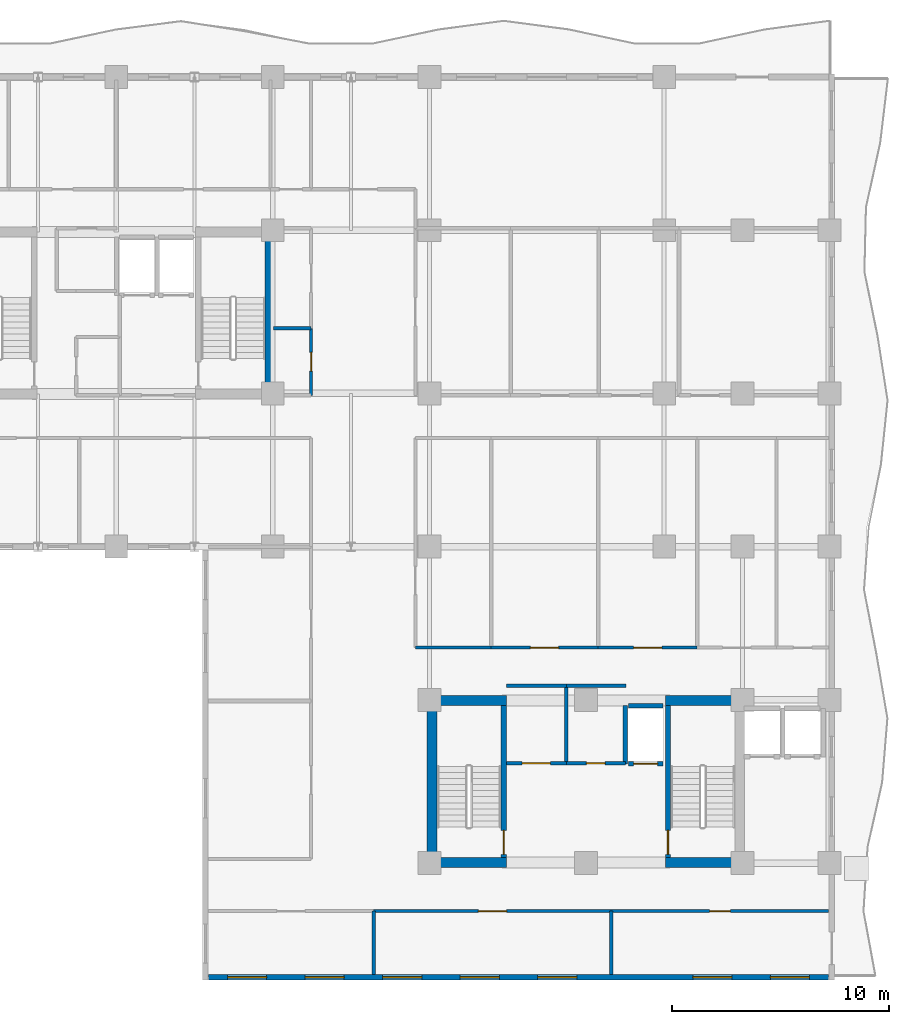
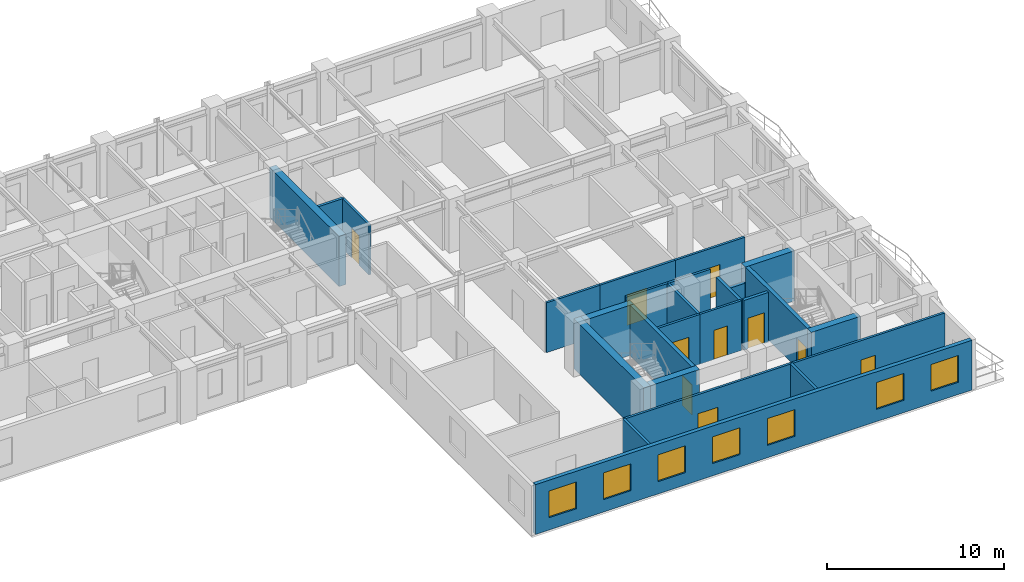
# One storey, part 12 of 19: 26 walls, 10 doors, 7 windows, 17 openings.
"""IFC4 building model written with IfcOpenShell, lengths in metres."""

from ifc_helpers import new_model, si_unit, direction, frame, frame_2d, origin, place, context, subcontext, project, spatial, rectangle, extrude, material, layer, layer_set, type_object, element, fill, save


model = new_model("IFC4")

# Units and contexts
model_context = context("Model", 3, precision=1e-05, world=origin(), true_north=direction((0.0, 1.0)))
body_context = subcontext(model_context, "Body", "Model", "MODEL_VIEW")
ifc_project = project(units=[si_unit("LENGTHUNIT", "METRE"), si_unit("AREAUNIT", "SQUARE_METRE"), si_unit("VOLUMEUNIT", "CUBIC_METRE"), si_unit("PLANEANGLEUNIT", "RADIAN"), si_unit("MASSUNIT", "GRAM", prefix="KILO")], contexts=[model_context])

# Site, building, storey
site_placement = place(None, origin())
site = spatial("IfcSite", under=ifc_project, at=site_placement, CompositionType="ELEMENT")
building_placement = place(site_placement, origin())
building = spatial("IfcBuilding", under=site, at=building_placement, Name="Kaliganga Portal Commons", CompositionType="ELEMENT")
storey_placement = place(building_placement, frame((0.0, 0.0, 184.60009765625)))
storey = spatial("IfcBuildingStorey", under=building, at=storey_placement, Name="L47", CompositionType="ELEMENT", Elevation=184.60009765625)

# Walls
ifc_material_1 = material(Name="Concrete C60/75", Category="concrete")
ifc_layer_1 = layer(ifc_material_1, 0.449951171875)
ifc_layer_set_1 = layer_set([ifc_layer_1], Name="Concrete C60/75")
wall_type_1 = type_object("IfcWallType", Name="WL-CORE-450", PredefinedType="SHEAR", material=ifc_layer_set_1)
wall_1_placement = place(storey_placement, frame((28.675048828125, 28.39990234375, 0.0), z_axis=(0.0, 0.0, 1.0), x_axis=(0.0, 1.0, 0.0)))
element("IfcWall", 1, at=wall_1_placement, inside=storey, type_object=wall_type_1, Name="Core A East Shear Wall L47", PredefinedType="SHEAR", context=body_context, shape_type="SweptSolid", body=[
    extrude(rectangle(XDim=7.900146484375, YDim=0.449951171875, at=frame_2d((3.9501953125, 0.0))), origin(), (0.0, 0.0, 1.0), 3.4599609375),
])
wall_2_placement = place(storey_placement, frame((36.125, 6.85009765625, 0.0), z_axis=(0.0, 0.0, 1.0), x_axis=(0.0, 1.0, 0.0)))
element("IfcWall", 2, at=wall_2_placement, inside=storey, type_object=wall_type_1, Name="Core B West Shear Wall L47", PredefinedType="SHEAR", context=body_context, shape_type="SweptSolid", body=[
    extrude(rectangle(XDim=7.89990234375, YDim=0.449951171875, at=frame_2d((3.949951171875, 0.0))), origin(), (0.0, 0.0, 1.0), 3.4599609375),
])
for number, where, z_axis, x_axis, name in (
    (3, (36.35009765625, 7.074951171875, 0.0), (0.0, 0.0, 1.0), (1.0, 0.0, 0.0), "Core B S-West Shear Wall L47"),
    (4, (46.85009765625, 7.074951171875, 0.0), (0.0, 0.0, 1.0), (1.0, 0.0, 0.0), "Core B S-East Shear Wall L47"),
    (5, (36.35009765625, 14.52490234375, 0.0), (0.0, 0.0, 1.0), (1.0, 0.0, 0.0), "Core B N-West Shear Wall L47"),
    (6, (46.85009765625, 14.52490234375, 0.0), (0.0, 0.0, 1.0), (1.0, 0.0, 0.0), "Core B N-East Shear Wall L47"),
):
    element("IfcWall", number, at=place(storey_placement, frame(where, z_axis=z_axis, x_axis=x_axis)), inside=storey, type_object=wall_type_1, Name=name, PredefinedType="SHEAR", context=body_context, shape_type="SweptSolid", body=[
        extrude(rectangle(XDim=3.199951171875, YDim=0.449951171875, at=frame_2d((1.60009765625, 0.0))), origin(), (0.0, 0.0, 1.0), 3.4599609375),
    ])

# Wall, openings, windows
ifc_material_2 = material(Name="Insulated Aluminium-Clad Spandrel Assembly", Category="aluminium")
ifc_layer_2 = layer(ifc_material_2, 0.260009765625)
ifc_layer_set_2 = layer_set([ifc_layer_2], Name="Insulated Aluminium-Clad Spandrel Assembly")
wall_type_2 = type_object("IfcWallType", Name="WL-EXT-SPAND-260", PredefinedType="STANDARD", material=ifc_layer_set_2)
wall_3_placement = place(storey_placement, frame((54.364990234375, 1.800048828125, 0.0), z_axis=(0.0, 0.0, 1.0), x_axis=(-1.0, 0.0, 0.0)))
wall_3 = element("IfcWall", 7, at=wall_3_placement, inside=storey, type_object=wall_type_2, Name="Exterior Envelope Wall L47 P1-E00-S1", PredefinedType="STANDARD", context=body_context, shape_type="SweptSolid", body=[
    extrude(rectangle(XDim=28.530029296875, YDim=0.260009765625, at=frame_2d((14.26513671875, 0.0))), origin(), (0.0, 0.0, 1.0), 3.43994140625),
])
opening_1_placement = place(wall_3_placement, frame((0.883056640625, 0.0, 0.85009765625)))
opening_1 = element("IfcOpeningElement", 8, at=opening_1_placement, cuts=wall_3, Name="Opening W-01", PredefinedType="OPENING", context=body_context, shape_type="SweptSolid", body=[
    extrude(rectangle(XDim=1.800048828125, YDim=1.85009765625, at=frame_2d((0.89990234375, 0.925048828125))), frame((0.0, 0.14013671875, 0.0), z_axis=(0.0, -1.0, 0.0), x_axis=(1.0, 0.0, 0.0)), (0.0, 0.0, 1.0), 0.280029296875),
])
opening_2_placement = place(wall_3_placement, frame((4.449462890625, 0.0, 0.85009765625)))
opening_2 = element("IfcOpeningElement", 9, at=opening_2_placement, cuts=wall_3, Name="Opening W-01", PredefinedType="OPENING", context=body_context, shape_type="SweptSolid", body=[
    extrude(rectangle(XDim=1.800048828125, YDim=1.85009765625, at=frame_2d((0.89990234375, 0.925048828125))), frame((0.0, 0.14013671875, 0.0), z_axis=(0.0, -1.0, 0.0), x_axis=(1.0, 0.0, 0.0)), (0.0, 0.0, 1.0), 0.280029296875),
])
opening_3_placement = place(wall_3_placement, frame((11.581787109375, 0.0, 0.85009765625)))
opening_3 = element("IfcOpeningElement", 10, at=opening_3_placement, cuts=wall_3, Name="Opening W-01", PredefinedType="OPENING", context=body_context, shape_type="SweptSolid", body=[
    extrude(rectangle(XDim=1.800048828125, YDim=1.85009765625, at=frame_2d((0.89990234375, 0.925048828125))), frame((0.0, 0.14013671875, 0.0), z_axis=(0.0, -1.0, 0.0), x_axis=(1.0, 0.0, 0.0)), (0.0, 0.0, 1.0), 0.280029296875),
])
opening_4_placement = place(wall_3_placement, frame((15.148193359375, 0.0, 0.85009765625)))
opening_4 = element("IfcOpeningElement", 11, at=opening_4_placement, cuts=wall_3, Name="Opening W-01", PredefinedType="OPENING", context=body_context, shape_type="SweptSolid", body=[
    extrude(rectangle(XDim=1.800048828125, YDim=1.85009765625, at=frame_2d((0.89990234375, 0.925048828125))), frame((0.0, 0.14013671875, 0.0), z_axis=(0.0, -1.0, 0.0), x_axis=(1.0, 0.0, 0.0)), (0.0, 0.0, 1.0), 0.280029296875),
])
opening_5_placement = place(wall_3_placement, frame((18.71435546875, 0.0, 0.85009765625)))
opening_5 = element("IfcOpeningElement", 12, at=opening_5_placement, cuts=wall_3, Name="Opening W-01", PredefinedType="OPENING", context=body_context, shape_type="SweptSolid", body=[
    extrude(rectangle(XDim=1.800048828125, YDim=1.85009765625, at=frame_2d((0.89990234375, 0.925048828125))), frame((0.0, 0.14013671875, 0.0), z_axis=(0.0, -1.0, 0.0), x_axis=(1.0, 0.0, 0.0)), (0.0, 0.0, 1.0), 0.280029296875),
])
opening_6_placement = place(wall_3_placement, frame((22.280517578125, 0.0, 0.85009765625)))
opening_6 = element("IfcOpeningElement", 13, at=opening_6_placement, cuts=wall_3, Name="Opening W-01", PredefinedType="OPENING", context=body_context, shape_type="SweptSolid", body=[
    extrude(rectangle(XDim=1.800048828125, YDim=1.85009765625, at=frame_2d((0.89990234375, 0.925048828125))), frame((0.0, 0.14013671875, 0.0), z_axis=(0.0, -1.0, 0.0), x_axis=(1.0, 0.0, 0.0)), (0.0, 0.0, 1.0), 0.280029296875),
])
opening_7_placement = place(wall_3_placement, frame((25.846923828125, 0.0, 0.85009765625)))
opening_7 = element("IfcOpeningElement", 14, at=opening_7_placement, cuts=wall_3, Name="Opening W-01", PredefinedType="OPENING", context=body_context, shape_type="SweptSolid", body=[
    extrude(rectangle(XDim=1.800048828125, YDim=1.85009765625, at=frame_2d((0.89990234375, 0.925048828125))), frame((0.0, 0.14013671875, 0.0), z_axis=(0.0, -1.0, 0.0), x_axis=(1.0, 0.0, 0.0)), (0.0, 0.0, 1.0), 0.280029296875),
])
ifc_material_3 = material(Name="Thermally Broken Aluminium and Low-E Double Glazing", Category="aluminium")
window_type = type_object("IfcWindowType", Name="WIN-STD-1800", PartitioningType="DOUBLE_PANEL_VERTICAL", PredefinedType="WINDOW", material=ifc_material_3)
window_1_placement = place(opening_1_placement, origin())
window_1 = element("IfcWindow", 15, at=window_1_placement, inside=storey, type_object=window_type, Name="Facade Window L47-P1E00S1-00", OverallHeight=1.85009765625, OverallWidth=1.800048828125, PartitioningType="SINGLE_PANEL", PredefinedType="WINDOW", context=body_context, shape_type="SweptSolid", body=[
    extrude(rectangle(XDim=1.800048828125, YDim=1.85009765625, at=frame_2d((0.89990234375, 0.925048828125))), frame((0.0, 0.030029296875, 0.0), z_axis=(0.0, -1.0, 0.0), x_axis=(1.0, 0.0, 0.0)), (0.0, 0.0, 1.0), 0.06005859375),
])
fill(opening_1, window_1)
window_2_placement = place(opening_2_placement, origin())
window_2 = element("IfcWindow", 16, at=window_2_placement, inside=storey, type_object=window_type, Name="Facade Window L47-P1E00S1-01", OverallHeight=1.85009765625, OverallWidth=1.800048828125, PartitioningType="SINGLE_PANEL", PredefinedType="WINDOW", context=body_context, shape_type="SweptSolid", body=[
    extrude(rectangle(XDim=1.800048828125, YDim=1.85009765625, at=frame_2d((0.89990234375, 0.925048828125))), frame((0.0, 0.030029296875, 0.0), z_axis=(0.0, -1.0, 0.0), x_axis=(1.0, 0.0, 0.0)), (0.0, 0.0, 1.0), 0.06005859375),
])
fill(opening_2, window_2)
window_3_placement = place(opening_3_placement, origin())
window_3 = element("IfcWindow", 17, at=window_3_placement, inside=storey, type_object=window_type, Name="Facade Window L47-P1E00S1-03", OverallHeight=1.85009765625, OverallWidth=1.800048828125, PartitioningType="SINGLE_PANEL", PredefinedType="WINDOW", context=body_context, shape_type="SweptSolid", body=[
    extrude(rectangle(XDim=1.800048828125, YDim=1.85009765625, at=frame_2d((0.89990234375, 0.925048828125))), frame((0.0, 0.030029296875, 0.0), z_axis=(0.0, -1.0, 0.0), x_axis=(1.0, 0.0, 0.0)), (0.0, 0.0, 1.0), 0.06005859375),
])
fill(opening_3, window_3)
window_4_placement = place(opening_4_placement, origin())
window_4 = element("IfcWindow", 18, at=window_4_placement, inside=storey, type_object=window_type, Name="Facade Window L47-P1E00S1-04", OverallHeight=1.85009765625, OverallWidth=1.800048828125, PartitioningType="SINGLE_PANEL", PredefinedType="WINDOW", context=body_context, shape_type="SweptSolid", body=[
    extrude(rectangle(XDim=1.800048828125, YDim=1.85009765625, at=frame_2d((0.89990234375, 0.925048828125))), frame((0.0, 0.030029296875, 0.0), z_axis=(0.0, -1.0, 0.0), x_axis=(1.0, 0.0, 0.0)), (0.0, 0.0, 1.0), 0.06005859375),
])
fill(opening_4, window_4)
window_5_placement = place(opening_5_placement, origin())
window_5 = element("IfcWindow", 19, at=window_5_placement, inside=storey, type_object=window_type, Name="Facade Window L47-P1E00S1-05", OverallHeight=1.85009765625, OverallWidth=1.800048828125, PartitioningType="SINGLE_PANEL", PredefinedType="WINDOW", context=body_context, shape_type="SweptSolid", body=[
    extrude(rectangle(XDim=1.800048828125, YDim=1.85009765625, at=frame_2d((0.89990234375, 0.925048828125))), frame((0.0, 0.030029296875, 0.0), z_axis=(0.0, -1.0, 0.0), x_axis=(1.0, 0.0, 0.0)), (0.0, 0.0, 1.0), 0.06005859375),
])
fill(opening_5, window_5)
window_6_placement = place(opening_6_placement, origin())
window_6 = element("IfcWindow", 20, at=window_6_placement, inside=storey, type_object=window_type, Name="Facade Window L47-P1E00S1-06", OverallHeight=1.85009765625, OverallWidth=1.800048828125, PartitioningType="SINGLE_PANEL", PredefinedType="WINDOW", context=body_context, shape_type="SweptSolid", body=[
    extrude(rectangle(XDim=1.800048828125, YDim=1.85009765625, at=frame_2d((0.89990234375, 0.925048828125))), frame((0.0, 0.030029296875, 0.0), z_axis=(0.0, -1.0, 0.0), x_axis=(1.0, 0.0, 0.0)), (0.0, 0.0, 1.0), 0.06005859375),
])
fill(opening_6, window_6)
window_7_placement = place(opening_7_placement, origin())
window_7 = element("IfcWindow", 21, at=window_7_placement, inside=storey, type_object=window_type, Name="Facade Window L47-P1E00S1-07", OverallHeight=1.85009765625, OverallWidth=1.800048828125, PartitioningType="SINGLE_PANEL", PredefinedType="WINDOW", context=body_context, shape_type="SweptSolid", body=[
    extrude(rectangle(XDim=1.800048828125, YDim=1.85009765625, at=frame_2d((0.89990234375, 0.925048828125))), frame((0.0, 0.030029296875, 0.0), z_axis=(0.0, -1.0, 0.0), x_axis=(1.0, 0.0, 0.0)), (0.0, 0.0, 1.0), 0.06005859375),
])
fill(opening_7, window_7)

# Wall, opening, door
ifc_material_4 = material(Name="Fire-Rated Gypsum Board on Steel Stud", Category="steel")
ifc_layer_3 = layer(ifc_material_4, 0.14990234375)
ifc_layer_set_3 = layer_set([ifc_layer_3], Name="Fire-Rated Gypsum Board on Steel Stud")
wall_type_3 = type_object("IfcWallType", Name="WL-PART-CORR-150", PredefinedType="PARTITIONING", material=ifc_layer_set_3)
wall_4_placement = place(storey_placement, frame((33.43994140625, 4.840087890625, 0.0), z_axis=(0.0, 0.0, 1.0), x_axis=(1.0, 0.0, 0.0)))
wall_4 = element("IfcWall", 22, at=wall_4_placement, inside=storey, type_object=wall_type_3, Name="Interior Partition L47-009", PredefinedType="PARTITIONING", context=body_context, shape_type="SweptSolid", body=[
    extrude(rectangle(XDim=10.920166015625, YDim=0.14990234375, at=frame_2d((5.4599609375, 0.0))), origin(), (0.0, 0.0, 1.0), 3.43994140625),
])
opening_8_placement = place(wall_4_placement, frame((4.81005859375, 0.0, 0.0)))
opening_8 = element("IfcOpeningElement", 23, at=opening_8_placement, cuts=wall_4, Name="Opening RD-03", PredefinedType="OPENING", context=body_context, shape_type="SweptSolid", body=[
    extrude(rectangle(XDim=1.300048828125, YDim=2.1201171875, at=frame_2d((0.64990234375, 1.06005859375))), frame((0.0, 0.0849609375, 0.0), z_axis=(0.0, -1.0, 0.0), x_axis=(1.0, 0.0, 0.0)), (0.0, 0.0, 1.0), 0.169921875),
])
ifc_material_5 = material(Name="Glazed Timber Seminar Vision Door", Category="wood")
door_type_1 = type_object("IfcDoorType", Name="DR-STUDY-1300", OperationType="DOUBLE_DOOR_SINGLE_SWING", PredefinedType="DOOR", material=ifc_material_5)
door_1_placement = place(opening_8_placement, origin())
door_1 = element("IfcDoor", 24, at=door_1_placement, inside=storey, type_object=door_type_1, Name="Interior Door L47-BS02", OperationType="DOUBLE_DOOR_SINGLE_SWING", OverallHeight=2.1201171875, OverallWidth=1.300048828125, PredefinedType="DOOR", context=body_context, shape_type="SweptSolid", body=[
    extrude(rectangle(XDim=1.300048828125, YDim=2.1201171875, at=frame_2d((0.64990234375, 1.06005859375))), frame((0.0, 0.02490234375, 0.0), z_axis=(0.0, -1.0, 0.0), x_axis=(1.0, 0.0, 0.0)), (0.0, 0.0, 1.0), 0.050048828125),
])
fill(opening_8, door_1)

wall_5_placement = place(storey_placement, frame((44.360107421875, 4.840087890625, 0.0), z_axis=(0.0, 0.0, 1.0), x_axis=(1.0, 0.0, 0.0)))
wall_5 = element("IfcWall", 25, at=wall_5_placement, inside=storey, type_object=wall_type_3, Name="Interior Partition L47-011", PredefinedType="PARTITIONING", context=body_context, shape_type="SweptSolid", body=[
    extrude(rectangle(XDim=10.0078125, YDim=0.14990234375, at=frame_2d((5.00390625, 0.0))), origin(), (0.0, 0.0, 1.0), 3.43994140625),
])
opening_9_placement = place(wall_5_placement, frame((4.529052734375, 0.0, 0.0)))
opening_9 = element("IfcOpeningElement", 26, at=opening_9_placement, cuts=wall_5, Name="Opening UD-01", PredefinedType="OPENING", context=body_context, shape_type="SweptSolid", body=[
    extrude(rectangle(XDim=0.949951171875, YDim=2.10009765625, at=frame_2d((0.47509765625, 1.050048828125))), frame((0.0, 0.0849609375, 0.0), z_axis=(0.0, -1.0, 0.0), x_axis=(1.0, 0.0, 0.0)), (0.0, 0.0, 1.0), 0.169921875),
])
ifc_material_6 = material(Name="Solid-Core Timber Acoustic Fire Door", Category="wood")
door_type_2 = type_object("IfcDoorType", Name="DR-UNIT-950", OperationType="NOTDEFINED", PredefinedType="DOOR", material=ifc_material_6)
door_2_placement = place(opening_9_placement, origin())
door_2 = element("IfcDoor", 27, at=door_2_placement, inside=storey, type_object=door_type_2, Name="Interior Door L47-BS03", OperationType="SINGLE_SWING_RIGHT", OverallHeight=2.10009765625, OverallWidth=0.949951171875, PredefinedType="DOOR", context=body_context, shape_type="SweptSolid", body=[
    extrude(rectangle(XDim=0.949951171875, YDim=2.10009765625, at=frame_2d((0.47509765625, 1.050048828125))), frame((0.0, 0.02490234375, 0.0), z_axis=(0.0, -1.0, 0.0), x_axis=(1.0, 0.0, 0.0)), (0.0, 0.0, 1.0), 0.050048828125),
])
fill(opening_9, door_2)

wall_6_placement = place(storey_placement, frame((38.840087890625, 16.9599609375, 0.0), z_axis=(0.0, 0.0, 1.0), x_axis=(1.0, 0.0, 0.0)))
wall_6 = element("IfcWall", 28, at=wall_6_placement, inside=storey, type_object=wall_type_3, Name="Interior Partition L47-030", PredefinedType="PARTITIONING", context=body_context, shape_type="SweptSolid", body=[
    extrude(rectangle(XDim=4.919921875, YDim=0.14990234375, at=frame_2d((2.4599609375, 0.0))), origin(), (0.0, 0.0, 1.0), 3.43994140625),
])
opening_10_placement = place(wall_6_placement, frame((1.81005859375, 0.0, 0.0)))
opening_10 = element("IfcOpeningElement", 29, at=opening_10_placement, cuts=wall_6, Name="Opening RD-03", PredefinedType="OPENING", context=body_context, shape_type="SweptSolid", body=[
    extrude(rectangle(XDim=1.300048828125, YDim=2.1201171875, at=frame_2d((0.64990234375, 1.06005859375))), frame((0.0, 0.0849609375, 0.0), z_axis=(0.0, -1.0, 0.0), x_axis=(1.0, 0.0, 0.0)), (0.0, 0.0, 1.0), 0.169921875),
])
door_3_placement = place(opening_10_placement, origin())
door_3 = element("IfcDoor", 30, at=door_3_placement, inside=storey, type_object=door_type_1, Name="Interior Door L47-BM02", OperationType="DOUBLE_DOOR_SINGLE_SWING", OverallHeight=2.1201171875, OverallWidth=1.300048828125, PredefinedType="DOOR", context=body_context, shape_type="SweptSolid", body=[
    extrude(rectangle(XDim=1.300048828125, YDim=2.1201171875, at=frame_2d((0.64990234375, 1.06005859375))), frame((0.0, 0.02490234375, 0.0), z_axis=(0.0, -1.0, 0.0), x_axis=(1.0, 0.0, 0.0)), (0.0, 0.0, 1.0), 0.050048828125),
])
fill(opening_10, door_3)

wall_7_placement = place(storey_placement, frame((43.760009765625, 16.9599609375, 0.0), z_axis=(0.0, 0.0, 1.0), x_axis=(1.0, 0.0, 0.0)))
wall_7 = element("IfcWall", 31, at=wall_7_placement, inside=storey, type_object=wall_type_3, Name="Interior Partition L47-036", PredefinedType="PARTITIONING", context=body_context, shape_type="SweptSolid", body=[
    extrude(rectangle(XDim=4.56005859375, YDim=0.14990234375, at=frame_2d((2.280029296875, 0.0))), origin(), (0.0, 0.0, 1.0), 3.43994140625),
])
opening_11_placement = place(wall_7_placement, frame((1.6298828125, 0.0, 0.0)))
opening_11 = element("IfcOpeningElement", 32, at=opening_11_placement, cuts=wall_7, Name="Opening RD-03", PredefinedType="OPENING", context=body_context, shape_type="SweptSolid", body=[
    extrude(rectangle(XDim=1.300048828125, YDim=2.1201171875, at=frame_2d((0.64990234375, 1.06005859375))), frame((0.0, 0.0849609375, 0.0), z_axis=(0.0, -1.0, 0.0), x_axis=(1.0, 0.0, 0.0)), (0.0, 0.0, 1.0), 0.169921875),
])
door_4_placement = place(opening_11_placement, origin())
door_4 = element("IfcDoor", 33, at=door_4_placement, inside=storey, type_object=door_type_1, Name="Interior Door L47-BM03", OperationType="DOUBLE_DOOR_SINGLE_SWING", OverallHeight=2.1201171875, OverallWidth=1.300048828125, PredefinedType="DOOR", context=body_context, shape_type="SweptSolid", body=[
    extrude(rectangle(XDim=1.300048828125, YDim=2.1201171875, at=frame_2d((0.64990234375, 1.06005859375))), frame((0.0, 0.02490234375, 0.0), z_axis=(0.0, -1.0, 0.0), x_axis=(1.0, 0.0, 0.0)), (0.0, 0.0, 1.0), 0.050048828125),
])
fill(opening_11, door_4)

# Wall
wall_8_placement = place(storey_placement, frame((35.360107421875, 16.9599609375, 0.0), z_axis=(0.0, 0.0, 1.0), x_axis=(1.0, 0.0, 0.0)))
element("IfcWall", 34, at=wall_8_placement, inside=storey, type_object=wall_type_3, Name="Interior Partition L47-046", PredefinedType="PARTITIONING", context=body_context, shape_type="SweptSolid", body=[
    extrude(rectangle(XDim=3.47998046875, YDim=0.14990234375, at=frame_2d((1.739990234375, 0.0))), origin(), (0.0, 0.0, 1.0), 3.43994140625),
])

# Wall, opening, door
wall_9_placement = place(storey_placement, frame((30.56005859375, 28.56005859375, 0.0), z_axis=(0.0, 0.0, 1.0), x_axis=(0.0, 1.0, 0.0)))
wall_9 = element("IfcWall", 35, at=wall_9_placement, inside=storey, type_object=wall_type_3, Name="Interior Partition L47-048", PredefinedType="PARTITIONING", context=body_context, shape_type="SweptSolid", body=[
    extrude(rectangle(XDim=3.079833984375, YDim=0.14990234375, at=frame_2d((1.5400390625, 0.0))), origin(), (0.0, 0.0, 1.0), 3.43994140625),
])
opening_12_placement = place(wall_9_placement, frame((1.110107421875, 0.0, 0.0)))
opening_12 = element("IfcOpeningElement", 36, at=opening_12_placement, cuts=wall_9, Name="Opening WD-02", PredefinedType="OPENING", context=body_context, shape_type="SweptSolid", body=[
    extrude(rectangle(XDim=0.860107421875, YDim=2.02001953125, at=frame_2d((0.43017578125, 1.010009765625))), frame((0.0, 0.0849609375, 0.0), z_axis=(0.0, -1.0, 0.0), x_axis=(1.0, 0.0, 0.0)), (0.0, 0.0, 1.0), 0.169921875),
])
ifc_material_7 = material(Name="Fire-Rated Utility Closet Door", Category="wood")
door_type_3 = type_object("IfcDoorType", Name="DR-STORE-800", OperationType="NOTDEFINED", PredefinedType="DOOR", material=ifc_material_7)
door_5_placement = place(opening_12_placement, origin())
door_5 = element("IfcDoor", 37, at=door_5_placement, inside=storey, type_object=door_type_3, Name="Interior Door L47-CSRV_A1", OperationType="SINGLE_SWING_RIGHT", OverallHeight=2.02001953125, OverallWidth=0.860107421875, PredefinedType="DOOR", context=body_context, shape_type="SweptSolid", body=[
    extrude(rectangle(XDim=0.860107421875, YDim=2.02001953125, at=frame_2d((0.43017578125, 1.010009765625))), frame((0.0, 0.02490234375, 0.0), z_axis=(0.0, -1.0, 0.0), x_axis=(1.0, 0.0, 0.0)), (0.0, 0.0, 1.0), 0.050048828125),
])
fill(opening_12, door_5)

wall_10_placement = place(storey_placement, frame((39.5400390625, 11.639892578125, 0.0), z_axis=(0.0, 0.0, 1.0), x_axis=(1.0, 0.0, 0.0)))
wall_10 = element("IfcWall", 38, at=wall_10_placement, inside=storey, type_object=wall_type_3, Name="Interior Partition L47-051", PredefinedType="PARTITIONING", context=body_context, shape_type="SweptSolid", body=[
    extrude(rectangle(XDim=2.760009765625, YDim=0.14990234375, at=frame_2d((1.3798828125, 0.0))), origin(), (0.0, 0.0, 1.0), 3.43994140625),
])
opening_13_placement = place(wall_10_placement, frame((0.72998046875, 0.0, 0.0)))
opening_13 = element("IfcOpeningElement", 39, at=opening_13_placement, cuts=wall_10, Name="Opening RD-03", PredefinedType="OPENING", context=body_context, shape_type="SweptSolid", body=[
    extrude(rectangle(XDim=1.300048828125, YDim=2.1201171875, at=frame_2d((0.64990234375, 1.06005859375))), frame((0.0, 0.0849609375, 0.0), z_axis=(0.0, -1.0, 0.0), x_axis=(1.0, 0.0, 0.0)), (0.0, 0.0, 1.0), 0.169921875),
])
door_6_placement = place(opening_13_placement, origin())
door_6 = element("IfcDoor", 40, at=door_6_placement, inside=storey, type_object=door_type_1, Name="Interior Door L47-CREC_B1", OperationType="DOUBLE_DOOR_SINGLE_SWING", OverallHeight=2.1201171875, OverallWidth=1.300048828125, PredefinedType="DOOR", context=body_context, shape_type="SweptSolid", body=[
    extrude(rectangle(XDim=1.300048828125, YDim=2.1201171875, at=frame_2d((0.64990234375, 1.06005859375))), frame((0.0, 0.02490234375, 0.0), z_axis=(0.0, -1.0, 0.0), x_axis=(1.0, 0.0, 0.0)), (0.0, 0.0, 1.0), 0.050048828125),
])
fill(opening_13, door_6)

# Wall
wall_11_placement = place(storey_placement, frame((39.5400390625, 15.199951171875, 0.0), z_axis=(0.0, 0.0, 1.0), x_axis=(1.0, 0.0, 0.0)))
element("IfcWall", 41, at=wall_11_placement, inside=storey, type_object=wall_type_3, Name="Interior Partition L47-052", PredefinedType="PARTITIONING", context=body_context, shape_type="SweptSolid", body=[
    extrude(rectangle(XDim=2.760009765625, YDim=0.14990234375, at=frame_2d((1.3798828125, 0.0))), origin(), (0.0, 0.0, 1.0), 3.43994140625),
])

# Wall, opening, door
wall_12_placement = place(storey_placement, frame((42.300048828125, 11.639892578125, 0.0), z_axis=(0.0, 0.0, 1.0), x_axis=(1.0, 0.0, 0.0)))
wall_12 = element("IfcWall", 42, at=wall_12_placement, inside=storey, type_object=wall_type_3, Name="Interior Partition L47-053", PredefinedType="PARTITIONING", context=body_context, shape_type="SweptSolid", body=[
    extrude(rectangle(XDim=2.7099609375, YDim=0.14990234375, at=frame_2d((1.35498046875, 0.0))), origin(), (0.0, 0.0, 1.0), 3.43994140625),
])
opening_14_placement = place(wall_12_placement, frame((0.925048828125, 0.0, 0.0)))
opening_14 = element("IfcOpeningElement", 43, at=opening_14_placement, cuts=wall_12, Name="Opening WD-02", PredefinedType="OPENING", context=body_context, shape_type="SweptSolid", body=[
    extrude(rectangle(XDim=0.860107421875, YDim=2.02001953125, at=frame_2d((0.43017578125, 1.010009765625))), frame((0.0, 0.0849609375, 0.0), z_axis=(0.0, -1.0, 0.0), x_axis=(1.0, 0.0, 0.0)), (0.0, 0.0, 1.0), 0.169921875),
])
door_7_placement = place(opening_14_placement, origin())
door_7 = element("IfcDoor", 44, at=door_7_placement, inside=storey, type_object=door_type_3, Name="Interior Door L47-CREC_B2", OperationType="SINGLE_SWING_LEFT", OverallHeight=2.02001953125, OverallWidth=0.860107421875, PredefinedType="DOOR", context=body_context, shape_type="SweptSolid", body=[
    extrude(rectangle(XDim=0.860107421875, YDim=2.02001953125, at=frame_2d((0.43017578125, 1.010009765625))), frame((0.0, 0.02490234375, 0.0), z_axis=(0.0, -1.0, 0.0), x_axis=(1.0, 0.0, 0.0)), (0.0, 0.0, 1.0), 0.050048828125),
])
fill(opening_14, door_7)

# Walls
wall_13_placement = place(storey_placement, frame((42.300048828125, 15.199951171875, 0.0), z_axis=(0.0, 0.0, 1.0), x_axis=(1.0, 0.0, 0.0)))
element("IfcWall", 45, at=wall_13_placement, inside=storey, type_object=wall_type_3, Name="Interior Partition L47-054", PredefinedType="PARTITIONING", context=body_context, shape_type="SweptSolid", body=[
    extrude(rectangle(XDim=2.739990234375, YDim=0.14990234375, at=frame_2d((1.3701171875, 0.0))), origin(), (0.0, 0.0, 1.0), 3.43994140625),
])
ifc_material_8 = material(Name="Twin-Stud Acoustic Gypsum Partition", Category="gypsum")
ifc_layer_4 = layer(ifc_material_8, 0.1650390625)
ifc_layer_set_4 = layer_set([ifc_layer_4], Name="Twin-Stud Acoustic Gypsum Partition")
wall_type_4 = type_object("IfcWallType", Name="WL-PART-UNIT-165", PredefinedType="PARTITIONING", material=ifc_layer_set_4)
wall_14_placement = place(storey_placement, frame((42.300048828125, 11.639892578125, 0.0), z_axis=(0.0, 0.0, 1.0), x_axis=(0.0, 1.0, 0.0)))
element("IfcWall", 46, at=wall_14_placement, inside=storey, type_object=wall_type_4, Name="Interior Partition L47-088", PredefinedType="PARTITIONING", context=body_context, shape_type="SweptSolid", body=[
    extrude(rectangle(XDim=3.56005859375, YDim=0.1650390625, at=frame_2d((1.780029296875, 0.0))), origin(), (0.0, 0.0, 1.0), 3.43994140625),
])
for number, where, z_axis, x_axis, name in (
    (47, (33.43994140625, 1.931884765625, 0.0), (0.0, 0.0, 1.0), (0.0, 1.0, 0.0), "Interior Partition L47-092"),
    (48, (44.360107421875, 1.931884765625, 0.0), (0.0, 0.0, 1.0), (0.0, 1.0, 0.0), "Interior Partition L47-093"),
):
    element("IfcWall", number, at=place(storey_placement, frame(where, z_axis=z_axis, x_axis=x_axis)), inside=storey, type_object=wall_type_4, Name=name, PredefinedType="PARTITIONING", context=body_context, shape_type="SweptSolid", body=[
        extrude(rectangle(XDim=2.908203125, YDim=0.1650390625, at=frame_2d((1.4541015625, 0.0))), origin(), (0.0, 0.0, 1.0), 3.43994140625),
    ])
wall_15_placement = place(storey_placement, frame((28.840087890625, 31.639892578125, 0.0), z_axis=(0.0, 0.0, 1.0), x_axis=(1.0, 0.0, 0.0)))
element("IfcWall", 49, at=wall_15_placement, inside=storey, type_object=wall_type_4, Name="Interior Partition L47-095", PredefinedType="PARTITIONING", context=body_context, shape_type="SweptSolid", body=[
    extrude(rectangle(XDim=1.719970703125, YDim=0.1650390625, at=frame_2d((0.85986328125, 0.0))), origin(), (0.0, 0.0, 1.0), 3.43994140625),
])

# Wall, opening, door
ifc_material_9 = material(Name="Fire-Rated Shaftwall Masonry Assembly", Category="masonry")
ifc_layer_5 = layer(ifc_material_9, 0.199951171875)
ifc_layer_set_5 = layer_set([ifc_layer_5], Name="Fire-Rated Shaftwall Masonry Assembly")
wall_type_5 = type_object("IfcWallType", Name="WL-SHAFT-200", PredefinedType="PARTITIONING", material=ifc_layer_set_5)
wall_16_placement = place(storey_placement, frame((45.14990234375, 11.610107421875, 0.0), z_axis=(0.0, 0.0, 1.0), x_axis=(1.0, 0.0, 0.0)))
wall_16 = element("IfcWall", 50, at=wall_16_placement, inside=storey, type_object=wall_type_5, Name="Lift SL-B1 Hoistway Shaft Wall L47-S", PredefinedType="PARTITIONING", context=body_context, shape_type="SweptSolid", body=[
    extrude(rectangle(XDim=1.60009765625, YDim=0.199951171875, at=frame_2d((0.800048828125, 0.0))), origin(), (0.0, 0.0, 1.0), 3.43994140625),
])
opening_15_placement = place(wall_16_placement, frame((0.25, 0.0, 0.0)))
opening_15 = element("IfcOpeningElement", 51, at=opening_15_placement, cuts=wall_16, Name="Opening LD-01", PredefinedType="OPENING", context=body_context, shape_type="SweptSolid", body=[
    extrude(rectangle(XDim=1.10009765625, YDim=2.1201171875, at=frame_2d((0.550048828125, 1.06005859375))), frame((0.0, 0.10986328125, 0.0), z_axis=(0.0, -1.0, 0.0), x_axis=(1.0, 0.0, 0.0)), (0.0, 0.0, 1.0), 0.219970703125),
])
ifc_material_10 = material(Name="Brushed Stainless Steel 316 Lift Landing Door", Category="steel")
door_type_4 = type_object("IfcDoorType", Name="DR-LIFT-1100", OperationType="SLIDING_TO_LEFT", PredefinedType="DOOR", material=ifc_material_10)
door_8_placement = place(opening_15_placement, origin())
door_8 = element("IfcDoor", 52, at=door_8_placement, inside=storey, type_object=door_type_4, Name="Lift SL-B1 Sliding Landing Door L47", OperationType="SLIDING_TO_LEFT", OverallHeight=2.1201171875, OverallWidth=1.10009765625, PredefinedType="DOOR", context=body_context, shape_type="SweptSolid", body=[
    extrude(rectangle(XDim=1.10009765625, YDim=2.1201171875, at=frame_2d((0.550048828125, 1.06005859375))), frame((0.0, 0.02490234375, 0.0), z_axis=(0.0, -1.0, 0.0), x_axis=(1.0, 0.0, 0.0)), (0.0, 0.0, 1.0), 0.050048828125),
])
fill(opening_15, door_8)

# Walls
wall_17_placement = place(storey_placement, frame((45.14990234375, 14.2900390625, 0.0), z_axis=(0.0, 0.0, 1.0), x_axis=(1.0, 0.0, 0.0)))
element("IfcWall", 53, at=wall_17_placement, inside=storey, type_object=wall_type_5, Name="Lift SL-B1 Hoistway Shaft Wall L47-N", PredefinedType="PARTITIONING", context=body_context, shape_type="SweptSolid", body=[
    extrude(rectangle(XDim=1.60009765625, YDim=0.199951171875, at=frame_2d((0.800048828125, 0.0))), origin(), (0.0, 0.0, 1.0), 2.43994140625),
])
wall_18_placement = place(storey_placement, frame((45.010009765625, 11.610107421875, 0.0), z_axis=(0.0, 0.0, 1.0), x_axis=(0.0, 1.0, 0.0)))
element("IfcWall", 54, at=wall_18_placement, inside=storey, type_object=wall_type_5, Name="Lift SL-B1 Hoistway Shaft Wall L47-W", PredefinedType="PARTITIONING", context=body_context, shape_type="SweptSolid", body=[
    extrude(rectangle(XDim=2.679931640625, YDim=0.199951171875, at=frame_2d((1.33984375, 0.0))), origin(), (0.0, 0.0, 1.0), 3.43994140625),
])

# Wall, opening, door
ifc_material_11 = material(Name="Concrete C50/60", Category="concrete")
ifc_layer_6 = layer(ifc_material_11, 0.25)
ifc_layer_set_6 = layer_set([ifc_layer_6], Name="Concrete C50/60")
wall_type_6 = type_object("IfcWallType", Name="WL-STAIR-250", PredefinedType="SHEAR", material=ifc_layer_set_6)
wall_19_placement = place(storey_placement, frame((39.425048828125, 7.300048828125, 0.0), z_axis=(0.0, 0.0, 1.0), x_axis=(0.0, 1.0, 0.0)))
wall_19 = element("IfcWall", 55, at=wall_19_placement, inside=storey, type_object=wall_type_6, Name="Stair B1 Enclosure Shear Wall L47", PredefinedType="SHEAR", context=body_context, shape_type="SweptSolid", body=[
    extrude(rectangle(XDim=7.0, YDim=0.25, at=frame_2d((3.5, 0.0))), origin(), (0.0, 0.0, 1.0), 3.4599609375),
])
opening_16_placement = place(wall_19_placement, frame((0.14990234375, 0.0, 0.0)))
opening_16 = element("IfcOpeningElement", 56, at=opening_16_placement, cuts=wall_19, Name="Opening SD-01", PredefinedType="OPENING", context=body_context, shape_type="SweptSolid", body=[
    extrude(rectangle(XDim=1.10009765625, YDim=2.080078125, at=frame_2d((0.550048828125, 1.0400390625))), frame((0.0, 0.135009765625, 0.0), z_axis=(0.0, -1.0, 0.0), x_axis=(1.0, 0.0, 0.0)), (0.0, 0.0, 1.0), 0.27001953125),
])
ifc_material_12 = material(Name="Galvanized Steel Fire Door Leaf and Frame", Category="steel")
door_type_5 = type_object("IfcDoorType", Name="DR-STAIR-1100", OperationType="NOTDEFINED", PredefinedType="DOOR", material=ifc_material_12)
door_9_placement = place(opening_16_placement, origin())
door_9 = element("IfcDoor", 57, at=door_9_placement, inside=storey, type_object=door_type_5, Name="Protected Stair ST-B1 Fire Door L47", OperationType="SINGLE_SWING_LEFT", OverallHeight=2.080078125, OverallWidth=1.10009765625, PredefinedType="DOOR", context=body_context, shape_type="SweptSolid", body=[
    extrude(rectangle(XDim=1.10009765625, YDim=2.080078125, at=frame_2d((0.550048828125, 1.0400390625))), frame((0.0, 0.02490234375, 0.0), z_axis=(0.0, -1.0, 0.0), x_axis=(1.0, 0.0, 0.0)), (0.0, 0.0, 1.0), 0.050048828125),
])
fill(opening_16, door_9)

wall_20_placement = place(storey_placement, frame((46.97509765625, 7.300048828125, 0.0), z_axis=(0.0, 0.0, 1.0), x_axis=(0.0, 1.0, 0.0)))
wall_20 = element("IfcWall", 58, at=wall_20_placement, inside=storey, type_object=wall_type_6, Name="Stair B2 Enclosure Shear Wall L47", PredefinedType="SHEAR", context=body_context, shape_type="SweptSolid", body=[
    extrude(rectangle(XDim=7.0, YDim=0.25, at=frame_2d((3.5, 0.0))), origin(), (0.0, 0.0, 1.0), 3.4599609375),
])
opening_17_placement = place(wall_20_placement, frame((0.14990234375, 0.0, 0.0)))
opening_17 = element("IfcOpeningElement", 59, at=opening_17_placement, cuts=wall_20, Name="Opening SD-01", PredefinedType="OPENING", context=body_context, shape_type="SweptSolid", body=[
    extrude(rectangle(XDim=1.10009765625, YDim=2.080078125, at=frame_2d((0.550048828125, 1.0400390625))), frame((0.0, 0.135009765625, 0.0), z_axis=(0.0, -1.0, 0.0), x_axis=(1.0, 0.0, 0.0)), (0.0, 0.0, 1.0), 0.27001953125),
])
door_10_placement = place(opening_17_placement, origin())
door_10 = element("IfcDoor", 60, at=door_10_placement, inside=storey, type_object=door_type_5, Name="Protected Stair ST-B2 Fire Door L47", OperationType="SINGLE_SWING_RIGHT", OverallHeight=2.080078125, OverallWidth=1.10009765625, PredefinedType="DOOR", context=body_context, shape_type="SweptSolid", body=[
    extrude(rectangle(XDim=1.10009765625, YDim=2.080078125, at=frame_2d((0.550048828125, 1.0400390625))), frame((0.0, 0.02490234375, 0.0), z_axis=(0.0, -1.0, 0.0), x_axis=(1.0, 0.0, 0.0)), (0.0, 0.0, 1.0), 0.050048828125),
])
fill(opening_17, door_10)

save(model, "model.ifc")
